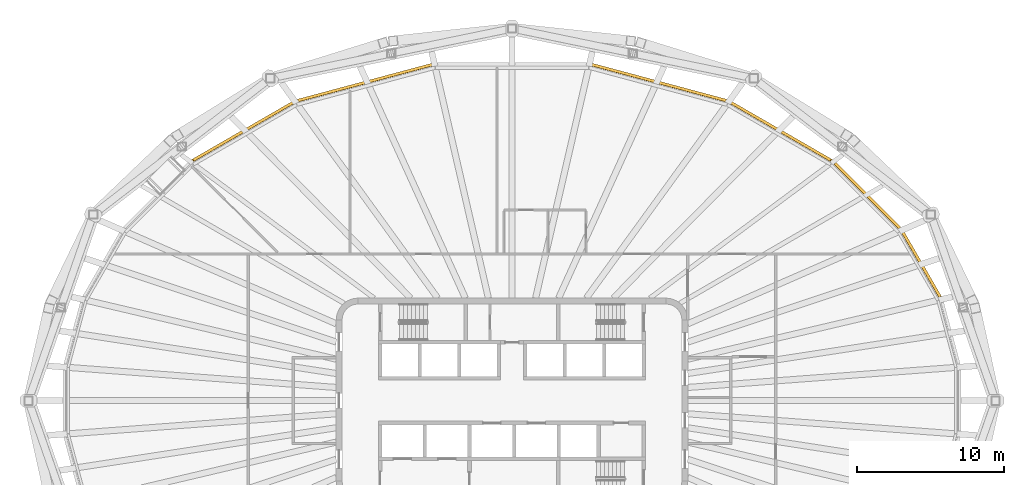
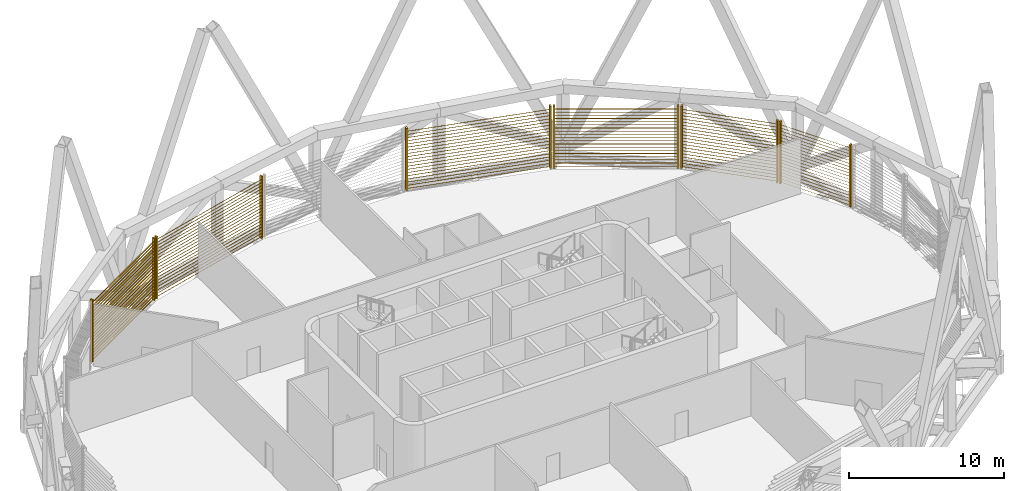
# One storey, part 16 of 17: 6 shading devices.
"""IFC4 building model written with IfcOpenShell, lengths in metres."""

from ifc_helpers import new_model, si_unit, direction, frame, origin, origin_2d, place, context, subcontext, project, spatial, rectangle, extrude, material, type_object, element, save


model = new_model("IFC4")

# Units and contexts
model_context = context("Model", 3, precision=1e-05, world=origin(), true_north=direction((0.0, 1.0)))
body_context = subcontext(model_context, "Body", "Model", "MODEL_VIEW")
ifc_project = project(units=[si_unit("LENGTHUNIT", "METRE"), si_unit("AREAUNIT", "SQUARE_METRE"), si_unit("VOLUMEUNIT", "CUBIC_METRE"), si_unit("PLANEANGLEUNIT", "RADIAN"), si_unit("MASSUNIT", "GRAM", prefix="KILO")], contexts=[model_context])

# Site, building, storey
site_placement = place(None, origin())
site = spatial("IfcSite", under=ifc_project, at=site_placement, CompositionType="ELEMENT")
building_placement = place(site_placement, origin())
building = spatial("IfcBuilding", under=site, at=building_placement, Name="Sahrelin Media Tower", CompositionType="ELEMENT")
storey_placement = place(building_placement, frame((0.0, 0.0, 249.60009765625)))
storey = spatial("IfcBuildingStorey", under=building, at=storey_placement, Name="L54", CompositionType="ELEMENT", Elevation=249.60009765625)

# Shading devices
ifc_material = material(Name="Champagne anodised aluminium 6063-T6", Category="aluminium")
shading_device_type = type_object("IfcShadingDeviceType", Name="Sand-rejection louvre band", PredefinedType="USERDEFINED", material=ifc_material)
shading_device_1_placement = place(storey_placement, frame((27.853271484375, 9.231689453125, 0.0), z_axis=(0.0, 0.0, 1.0), x_axis=(0.500011000363, -0.866019052629, 0.0)))
element("IfcShadingDevice", 1, at=shading_device_1_placement, inside=storey, type_object=shading_device_type, Name="L54:LOUVRE:L54-02", ObjectType="LOUVRE", PredefinedType="USERDEFINED", context=body_context, shape_type="SweptSolid", body=[
    extrude(rectangle(XDim=0.1201171875, YDim=0.199951171875, at=origin_2d()), frame((2.60107421875, 0.10009765625, 0.050048828125), z_axis=(0.0, 0.0, 1.0), x_axis=(1.0, 0.0, 0.0)), (0.0, 0.0, 1.0), 4.8984375),
    extrude(rectangle(XDim=0.1201171875, YDim=0.199951171875, at=origin_2d()), frame((-2.60107421875, 0.10009765625, 0.050048828125), z_axis=(0.0, 0.0, 1.0), x_axis=(1.0, 0.0, 0.0)), (0.0, 0.0, 1.0), 4.8984375),
    extrude(rectangle(XDim=0.25, YDim=0.02001953125, at=origin_2d()), frame((2.541015625, 0.10009765625, 0.14990234375), z_axis=(-1.0, 0.0, 0.0), x_axis=(0.0, -0.766044443119, 0.642787609687)), (0.0, 0.0, 1.0), 5.08203125),
    extrude(rectangle(XDim=0.25, YDim=0.02001953125, at=origin_2d()), frame((2.541015625, 0.10009765625, 0.39990234375), z_axis=(-1.0, 0.0, 0.0), x_axis=(0.0, -0.766044443119, 0.642787609687)), (0.0, 0.0, 1.0), 5.08203125),
    extrude(rectangle(XDim=0.25, YDim=0.02001953125, at=origin_2d()), frame((2.541015625, 0.10009765625, 0.64990234375), z_axis=(-1.0, 0.0, 0.0), x_axis=(0.0, -0.766044443119, 0.642787609687)), (0.0, 0.0, 1.0), 5.08203125),
    extrude(rectangle(XDim=0.25, YDim=0.02001953125, at=origin_2d()), frame((2.541015625, 0.10009765625, 0.89990234375), z_axis=(-1.0, 0.0, 0.0), x_axis=(0.0, -0.766044443119, 0.642787609687)), (0.0, 0.0, 1.0), 5.08203125),
    extrude(rectangle(XDim=0.25, YDim=0.02001953125, at=origin_2d()), frame((2.541015625, 0.10009765625, 1.14990234375), z_axis=(-1.0, 0.0, 0.0), x_axis=(0.0, -0.766044443119, 0.642787609687)), (0.0, 0.0, 1.0), 5.08203125),
    extrude(rectangle(XDim=0.25, YDim=0.02001953125, at=origin_2d()), frame((2.541015625, 0.10009765625, 1.39990234375), z_axis=(-1.0, 0.0, 0.0), x_axis=(0.0, -0.766044443119, 0.642787609687)), (0.0, 0.0, 1.0), 5.08203125),
    extrude(rectangle(XDim=0.25, YDim=0.02001953125, at=origin_2d()), frame((2.541015625, 0.10009765625, 1.64990234375), z_axis=(-1.0, 0.0, 0.0), x_axis=(0.0, -0.766044443119, 0.642787609687)), (0.0, 0.0, 1.0), 5.08203125),
    extrude(rectangle(XDim=0.25, YDim=0.02001953125, at=origin_2d()), frame((2.541015625, 0.10009765625, 1.89990234375), z_axis=(-1.0, 0.0, 0.0), x_axis=(0.0, -0.766044443119, 0.642787609687)), (0.0, 0.0, 1.0), 5.08203125),
    extrude(rectangle(XDim=0.25, YDim=0.02001953125, at=origin_2d()), frame((2.541015625, 0.10009765625, 2.14990234375), z_axis=(-1.0, 0.0, 0.0), x_axis=(0.0, -0.766044443119, 0.642787609687)), (0.0, 0.0, 1.0), 5.08203125),
    extrude(rectangle(XDim=0.25, YDim=0.02001953125, at=origin_2d()), frame((2.541015625, 0.10009765625, 2.39990234375), z_axis=(-1.0, 0.0, 0.0), x_axis=(0.0, -0.766044443119, 0.642787609687)), (0.0, 0.0, 1.0), 5.08203125),
    extrude(rectangle(XDim=0.25, YDim=0.02001953125, at=origin_2d()), frame((2.541015625, 0.10009765625, 2.64990234375), z_axis=(-1.0, 0.0, 0.0), x_axis=(0.0, -0.766044443119, 0.642787609687)), (0.0, 0.0, 1.0), 5.08203125),
    extrude(rectangle(XDim=0.25, YDim=0.02001953125, at=origin_2d()), frame((2.541015625, 0.10009765625, 2.89990234375), z_axis=(-1.0, 0.0, 0.0), x_axis=(0.0, -0.766044443119, 0.642787609687)), (0.0, 0.0, 1.0), 5.08203125),
    extrude(rectangle(XDim=0.25, YDim=0.02001953125, at=origin_2d()), frame((2.541015625, 0.10009765625, 3.14990234375), z_axis=(-1.0, 0.0, 0.0), x_axis=(0.0, -0.766044443119, 0.642787609687)), (0.0, 0.0, 1.0), 5.08203125),
    extrude(rectangle(XDim=0.25, YDim=0.02001953125, at=origin_2d()), frame((2.541015625, 0.10009765625, 3.39990234375), z_axis=(-1.0, 0.0, 0.0), x_axis=(0.0, -0.766044443119, 0.642787609687)), (0.0, 0.0, 1.0), 5.08203125),
    extrude(rectangle(XDim=0.25, YDim=0.02001953125, at=origin_2d()), frame((2.541015625, 0.10009765625, 3.64990234375), z_axis=(-1.0, 0.0, 0.0), x_axis=(0.0, -0.766044443119, 0.642787609687)), (0.0, 0.0, 1.0), 5.08203125),
    extrude(rectangle(XDim=0.25, YDim=0.02001953125, at=origin_2d()), frame((2.541015625, 0.10009765625, 3.89990234375), z_axis=(-1.0, 0.0, 0.0), x_axis=(0.0, -0.766044443119, 0.642787609687)), (0.0, 0.0, 1.0), 5.08203125),
    extrude(rectangle(XDim=0.25, YDim=0.02001953125, at=origin_2d()), frame((2.541015625, 0.10009765625, 4.14990234375), z_axis=(-1.0, 0.0, 0.0), x_axis=(0.0, -0.766044443119, 0.642787609687)), (0.0, 0.0, 1.0), 5.08203125),
    extrude(rectangle(XDim=0.25, YDim=0.02001953125, at=origin_2d()), frame((2.541015625, 0.10009765625, 4.39990234375), z_axis=(-1.0, 0.0, 0.0), x_axis=(0.0, -0.766044443119, 0.642787609687)), (0.0, 0.0, 1.0), 5.08203125),
    extrude(rectangle(XDim=0.25, YDim=0.02001953125, at=origin_2d()), frame((2.541015625, 0.10009765625, 4.64990234375), z_axis=(-1.0, 0.0, 0.0), x_axis=(0.0, -0.766044443119, 0.642787609687)), (0.0, 0.0, 1.0), 5.08203125),
])
shading_device_2_placement = place(storey_placement, frame((24.17041015625, 13.90673828125, 0.0), z_axis=(0.0, 0.0, 1.0), x_axis=(0.707106781187, -0.707106781187, 0.0)))
element("IfcShadingDevice", 2, at=shading_device_2_placement, inside=storey, type_object=shading_device_type, Name="L54:LOUVRE:L54-03", ObjectType="LOUVRE", PredefinedType="USERDEFINED", context=body_context, shape_type="SweptSolid", body=[
    extrude(rectangle(XDim=0.1201171875, YDim=0.199951171875, at=origin_2d()), frame((3.18115234375, 0.10009765625, 0.050048828125), z_axis=(0.0, 0.0, 1.0), x_axis=(1.0, 0.0, 0.0)), (0.0, 0.0, 1.0), 4.8984375),
    extrude(rectangle(XDim=0.1201171875, YDim=0.199951171875, at=origin_2d()), frame((-3.18115234375, 0.10009765625, 0.050048828125), z_axis=(0.0, 0.0, 1.0), x_axis=(1.0, 0.0, 0.0)), (0.0, 0.0, 1.0), 4.8984375),
    extrude(rectangle(XDim=0.25, YDim=0.02001953125, at=origin_2d()), frame((3.12109375, 0.10009765625, 0.14990234375), z_axis=(-1.0, 0.0, 0.0), x_axis=(0.0, -0.766044443119, 0.642787609687)), (0.0, 0.0, 1.0), 6.2421875),
    extrude(rectangle(XDim=0.25, YDim=0.02001953125, at=origin_2d()), frame((3.12109375, 0.10009765625, 0.39990234375), z_axis=(-1.0, 0.0, 0.0), x_axis=(0.0, -0.766044443119, 0.642787609687)), (0.0, 0.0, 1.0), 6.2421875),
    extrude(rectangle(XDim=0.25, YDim=0.02001953125, at=origin_2d()), frame((3.12109375, 0.10009765625, 0.64990234375), z_axis=(-1.0, 0.0, 0.0), x_axis=(0.0, -0.766044443119, 0.642787609687)), (0.0, 0.0, 1.0), 6.2421875),
    extrude(rectangle(XDim=0.25, YDim=0.02001953125, at=origin_2d()), frame((3.12109375, 0.10009765625, 0.89990234375), z_axis=(-1.0, 0.0, 0.0), x_axis=(0.0, -0.766044443119, 0.642787609687)), (0.0, 0.0, 1.0), 6.2421875),
    extrude(rectangle(XDim=0.25, YDim=0.02001953125, at=origin_2d()), frame((3.12109375, 0.10009765625, 1.14990234375), z_axis=(-1.0, 0.0, 0.0), x_axis=(0.0, -0.766044443119, 0.642787609687)), (0.0, 0.0, 1.0), 6.2421875),
    extrude(rectangle(XDim=0.25, YDim=0.02001953125, at=origin_2d()), frame((3.12109375, 0.10009765625, 1.39990234375), z_axis=(-1.0, 0.0, 0.0), x_axis=(0.0, -0.766044443119, 0.642787609687)), (0.0, 0.0, 1.0), 6.2421875),
    extrude(rectangle(XDim=0.25, YDim=0.02001953125, at=origin_2d()), frame((3.12109375, 0.10009765625, 1.64990234375), z_axis=(-1.0, 0.0, 0.0), x_axis=(0.0, -0.766044443119, 0.642787609687)), (0.0, 0.0, 1.0), 6.2421875),
    extrude(rectangle(XDim=0.25, YDim=0.02001953125, at=origin_2d()), frame((3.12109375, 0.10009765625, 1.89990234375), z_axis=(-1.0, 0.0, 0.0), x_axis=(0.0, -0.766044443119, 0.642787609687)), (0.0, 0.0, 1.0), 6.2421875),
    extrude(rectangle(XDim=0.25, YDim=0.02001953125, at=origin_2d()), frame((3.12109375, 0.10009765625, 2.14990234375), z_axis=(-1.0, 0.0, 0.0), x_axis=(0.0, -0.766044443119, 0.642787609687)), (0.0, 0.0, 1.0), 6.2421875),
    extrude(rectangle(XDim=0.25, YDim=0.02001953125, at=origin_2d()), frame((3.12109375, 0.10009765625, 2.39990234375), z_axis=(-1.0, 0.0, 0.0), x_axis=(0.0, -0.766044443119, 0.642787609687)), (0.0, 0.0, 1.0), 6.2421875),
    extrude(rectangle(XDim=0.25, YDim=0.02001953125, at=origin_2d()), frame((3.12109375, 0.10009765625, 2.64990234375), z_axis=(-1.0, 0.0, 0.0), x_axis=(0.0, -0.766044443119, 0.642787609687)), (0.0, 0.0, 1.0), 6.2421875),
    extrude(rectangle(XDim=0.25, YDim=0.02001953125, at=origin_2d()), frame((3.12109375, 0.10009765625, 2.89990234375), z_axis=(-1.0, 0.0, 0.0), x_axis=(0.0, -0.766044443119, 0.642787609687)), (0.0, 0.0, 1.0), 6.2421875),
    extrude(rectangle(XDim=0.25, YDim=0.02001953125, at=origin_2d()), frame((3.12109375, 0.10009765625, 3.14990234375), z_axis=(-1.0, 0.0, 0.0), x_axis=(0.0, -0.766044443119, 0.642787609687)), (0.0, 0.0, 1.0), 6.2421875),
    extrude(rectangle(XDim=0.25, YDim=0.02001953125, at=origin_2d()), frame((3.12109375, 0.10009765625, 3.39990234375), z_axis=(-1.0, 0.0, 0.0), x_axis=(0.0, -0.766044443119, 0.642787609687)), (0.0, 0.0, 1.0), 6.2421875),
    extrude(rectangle(XDim=0.25, YDim=0.02001953125, at=origin_2d()), frame((3.12109375, 0.10009765625, 3.64990234375), z_axis=(-1.0, 0.0, 0.0), x_axis=(0.0, -0.766044443119, 0.642787609687)), (0.0, 0.0, 1.0), 6.2421875),
    extrude(rectangle(XDim=0.25, YDim=0.02001953125, at=origin_2d()), frame((3.12109375, 0.10009765625, 3.89990234375), z_axis=(-1.0, 0.0, 0.0), x_axis=(0.0, -0.766044443119, 0.642787609687)), (0.0, 0.0, 1.0), 6.2421875),
    extrude(rectangle(XDim=0.25, YDim=0.02001953125, at=origin_2d()), frame((3.12109375, 0.10009765625, 4.14990234375), z_axis=(-1.0, 0.0, 0.0), x_axis=(0.0, -0.766044443119, 0.642787609687)), (0.0, 0.0, 1.0), 6.2421875),
    extrude(rectangle(XDim=0.25, YDim=0.02001953125, at=origin_2d()), frame((3.12109375, 0.10009765625, 4.39990234375), z_axis=(-1.0, 0.0, 0.0), x_axis=(0.0, -0.766044443119, 0.642787609687)), (0.0, 0.0, 1.0), 6.2421875),
    extrude(rectangle(XDim=0.25, YDim=0.02001953125, at=origin_2d()), frame((3.12109375, 0.10009765625, 4.64990234375), z_axis=(-1.0, 0.0, 0.0), x_axis=(0.0, -0.766044443119, 0.642787609687)), (0.0, 0.0, 1.0), 6.2421875),
])
shading_device_3_placement = place(storey_placement, frame((18.294189453125, 18.283203125, 0.0), z_axis=(0.0, 0.0, 1.0), x_axis=(0.866019052629, -0.500011000363, 0.0)))
element("IfcShadingDevice", 3, at=shading_device_3_placement, inside=storey, type_object=shading_device_type, Name="L54:LOUVRE:L54-04", ObjectType="LOUVRE", PredefinedType="USERDEFINED", context=body_context, shape_type="SweptSolid", body=[
    extrude(rectangle(XDim=0.1201171875, YDim=0.199951171875, at=origin_2d()), frame((3.988037109375, 0.10009765625, 0.050048828125), z_axis=(0.0, 0.0, 1.0), x_axis=(1.0, 0.0, 0.0)), (0.0, 0.0, 1.0), 4.8984375),
    extrude(rectangle(XDim=0.1201171875, YDim=0.199951171875, at=origin_2d()), frame((-3.988037109375, 0.10009765625, 0.050048828125), z_axis=(0.0, 0.0, 1.0), x_axis=(1.0, 0.0, 0.0)), (0.0, 0.0, 1.0), 4.8984375),
    extrude(rectangle(XDim=0.25, YDim=0.02001953125, at=origin_2d()), frame((3.927978515625, 0.10009765625, 0.14990234375), z_axis=(-1.0, 0.0, 0.0), x_axis=(0.0, -0.766044443119, 0.642787609687)), (0.0, 0.0, 1.0), 7.85595703125),
    extrude(rectangle(XDim=0.25, YDim=0.02001953125, at=origin_2d()), frame((3.927978515625, 0.10009765625, 0.39990234375), z_axis=(-1.0, 0.0, 0.0), x_axis=(0.0, -0.766044443119, 0.642787609687)), (0.0, 0.0, 1.0), 7.85595703125),
    extrude(rectangle(XDim=0.25, YDim=0.02001953125, at=origin_2d()), frame((3.927978515625, 0.10009765625, 0.64990234375), z_axis=(-1.0, 0.0, 0.0), x_axis=(0.0, -0.766044443119, 0.642787609687)), (0.0, 0.0, 1.0), 7.85595703125),
    extrude(rectangle(XDim=0.25, YDim=0.02001953125, at=origin_2d()), frame((3.927978515625, 0.10009765625, 0.89990234375), z_axis=(-1.0, 0.0, 0.0), x_axis=(0.0, -0.766044443119, 0.642787609687)), (0.0, 0.0, 1.0), 7.85595703125),
    extrude(rectangle(XDim=0.25, YDim=0.02001953125, at=origin_2d()), frame((3.927978515625, 0.10009765625, 1.14990234375), z_axis=(-1.0, 0.0, 0.0), x_axis=(0.0, -0.766044443119, 0.642787609687)), (0.0, 0.0, 1.0), 7.85595703125),
    extrude(rectangle(XDim=0.25, YDim=0.02001953125, at=origin_2d()), frame((3.927978515625, 0.10009765625, 1.39990234375), z_axis=(-1.0, 0.0, 0.0), x_axis=(0.0, -0.766044443119, 0.642787609687)), (0.0, 0.0, 1.0), 7.85595703125),
    extrude(rectangle(XDim=0.25, YDim=0.02001953125, at=origin_2d()), frame((3.927978515625, 0.10009765625, 1.64990234375), z_axis=(-1.0, 0.0, 0.0), x_axis=(0.0, -0.766044443119, 0.642787609687)), (0.0, 0.0, 1.0), 7.85595703125),
    extrude(rectangle(XDim=0.25, YDim=0.02001953125, at=origin_2d()), frame((3.927978515625, 0.10009765625, 1.89990234375), z_axis=(-1.0, 0.0, 0.0), x_axis=(0.0, -0.766044443119, 0.642787609687)), (0.0, 0.0, 1.0), 7.85595703125),
    extrude(rectangle(XDim=0.25, YDim=0.02001953125, at=origin_2d()), frame((3.927978515625, 0.10009765625, 2.14990234375), z_axis=(-1.0, 0.0, 0.0), x_axis=(0.0, -0.766044443119, 0.642787609687)), (0.0, 0.0, 1.0), 7.85595703125),
    extrude(rectangle(XDim=0.25, YDim=0.02001953125, at=origin_2d()), frame((3.927978515625, 0.10009765625, 2.39990234375), z_axis=(-1.0, 0.0, 0.0), x_axis=(0.0, -0.766044443119, 0.642787609687)), (0.0, 0.0, 1.0), 7.85595703125),
    extrude(rectangle(XDim=0.25, YDim=0.02001953125, at=origin_2d()), frame((3.927978515625, 0.10009765625, 2.64990234375), z_axis=(-1.0, 0.0, 0.0), x_axis=(0.0, -0.766044443119, 0.642787609687)), (0.0, 0.0, 1.0), 7.85595703125),
    extrude(rectangle(XDim=0.25, YDim=0.02001953125, at=origin_2d()), frame((3.927978515625, 0.10009765625, 2.89990234375), z_axis=(-1.0, 0.0, 0.0), x_axis=(0.0, -0.766044443119, 0.642787609687)), (0.0, 0.0, 1.0), 7.85595703125),
    extrude(rectangle(XDim=0.25, YDim=0.02001953125, at=origin_2d()), frame((3.927978515625, 0.10009765625, 3.14990234375), z_axis=(-1.0, 0.0, 0.0), x_axis=(0.0, -0.766044443119, 0.642787609687)), (0.0, 0.0, 1.0), 7.85595703125),
    extrude(rectangle(XDim=0.25, YDim=0.02001953125, at=origin_2d()), frame((3.927978515625, 0.10009765625, 3.39990234375), z_axis=(-1.0, 0.0, 0.0), x_axis=(0.0, -0.766044443119, 0.642787609687)), (0.0, 0.0, 1.0), 7.85595703125),
    extrude(rectangle(XDim=0.25, YDim=0.02001953125, at=origin_2d()), frame((3.927978515625, 0.10009765625, 3.64990234375), z_axis=(-1.0, 0.0, 0.0), x_axis=(0.0, -0.766044443119, 0.642787609687)), (0.0, 0.0, 1.0), 7.85595703125),
    extrude(rectangle(XDim=0.25, YDim=0.02001953125, at=origin_2d()), frame((3.927978515625, 0.10009765625, 3.89990234375), z_axis=(-1.0, 0.0, 0.0), x_axis=(0.0, -0.766044443119, 0.642787609687)), (0.0, 0.0, 1.0), 7.85595703125),
    extrude(rectangle(XDim=0.25, YDim=0.02001953125, at=origin_2d()), frame((3.927978515625, 0.10009765625, 4.14990234375), z_axis=(-1.0, 0.0, 0.0), x_axis=(0.0, -0.766044443119, 0.642787609687)), (0.0, 0.0, 1.0), 7.85595703125),
    extrude(rectangle(XDim=0.25, YDim=0.02001953125, at=origin_2d()), frame((3.927978515625, 0.10009765625, 4.39990234375), z_axis=(-1.0, 0.0, 0.0), x_axis=(0.0, -0.766044443119, 0.642787609687)), (0.0, 0.0, 1.0), 7.85595703125),
    extrude(rectangle(XDim=0.25, YDim=0.02001953125, at=origin_2d()), frame((3.927978515625, 0.10009765625, 4.64990234375), z_axis=(-1.0, 0.0, 0.0), x_axis=(0.0, -0.766044443119, 0.642787609687)), (0.0, 0.0, 1.0), 7.85595703125),
])
shading_device_4_placement = place(storey_placement, frame((10.005615234375, 21.60205078125, 0.0), z_axis=(0.0, 0.0, 1.0), x_axis=(0.965928857556, -0.258807731996, 0.0)))
element("IfcShadingDevice", 4, at=shading_device_4_placement, inside=storey, type_object=shading_device_type, Name="L54:LOUVRE:L54-05", ObjectType="LOUVRE", PredefinedType="USERDEFINED", context=body_context, shape_type="SweptSolid", body=[
    extrude(rectangle(XDim=0.1201171875, YDim=0.199951171875, at=origin_2d()), frame((4.796630859375, 0.10009765625, 0.050048828125), z_axis=(0.0, 0.0, 1.0), x_axis=(1.0, 0.0, 0.0)), (0.0, 0.0, 1.0), 4.8984375),
    extrude(rectangle(XDim=0.1201171875, YDim=0.199951171875, at=origin_2d()), frame((-4.796630859375, 0.10009765625, 0.050048828125), z_axis=(0.0, 0.0, 1.0), x_axis=(1.0, 0.0, 0.0)), (0.0, 0.0, 1.0), 4.8984375),
    extrude(rectangle(XDim=0.25, YDim=0.02001953125, at=origin_2d()), frame((4.73681640625, 0.10009765625, 0.14990234375), z_axis=(-1.0, 0.0, 0.0), x_axis=(0.0, -0.766044443119, 0.642787609687)), (0.0, 0.0, 1.0), 9.4736328125),
    extrude(rectangle(XDim=0.25, YDim=0.02001953125, at=origin_2d()), frame((4.73681640625, 0.10009765625, 0.39990234375), z_axis=(-1.0, 0.0, 0.0), x_axis=(0.0, -0.766044443119, 0.642787609687)), (0.0, 0.0, 1.0), 9.4736328125),
    extrude(rectangle(XDim=0.25, YDim=0.02001953125, at=origin_2d()), frame((4.73681640625, 0.10009765625, 0.64990234375), z_axis=(-1.0, 0.0, 0.0), x_axis=(0.0, -0.766044443119, 0.642787609687)), (0.0, 0.0, 1.0), 9.4736328125),
    extrude(rectangle(XDim=0.25, YDim=0.02001953125, at=origin_2d()), frame((4.73681640625, 0.10009765625, 0.89990234375), z_axis=(-1.0, 0.0, 0.0), x_axis=(0.0, -0.766044443119, 0.642787609687)), (0.0, 0.0, 1.0), 9.4736328125),
    extrude(rectangle(XDim=0.25, YDim=0.02001953125, at=origin_2d()), frame((4.73681640625, 0.10009765625, 1.14990234375), z_axis=(-1.0, 0.0, 0.0), x_axis=(0.0, -0.766044443119, 0.642787609687)), (0.0, 0.0, 1.0), 9.4736328125),
    extrude(rectangle(XDim=0.25, YDim=0.02001953125, at=origin_2d()), frame((4.73681640625, 0.10009765625, 1.39990234375), z_axis=(-1.0, 0.0, 0.0), x_axis=(0.0, -0.766044443119, 0.642787609687)), (0.0, 0.0, 1.0), 9.4736328125),
    extrude(rectangle(XDim=0.25, YDim=0.02001953125, at=origin_2d()), frame((4.73681640625, 0.10009765625, 1.64990234375), z_axis=(-1.0, 0.0, 0.0), x_axis=(0.0, -0.766044443119, 0.642787609687)), (0.0, 0.0, 1.0), 9.4736328125),
    extrude(rectangle(XDim=0.25, YDim=0.02001953125, at=origin_2d()), frame((4.73681640625, 0.10009765625, 1.89990234375), z_axis=(-1.0, 0.0, 0.0), x_axis=(0.0, -0.766044443119, 0.642787609687)), (0.0, 0.0, 1.0), 9.4736328125),
    extrude(rectangle(XDim=0.25, YDim=0.02001953125, at=origin_2d()), frame((4.73681640625, 0.10009765625, 2.14990234375), z_axis=(-1.0, 0.0, 0.0), x_axis=(0.0, -0.766044443119, 0.642787609687)), (0.0, 0.0, 1.0), 9.4736328125),
    extrude(rectangle(XDim=0.25, YDim=0.02001953125, at=origin_2d()), frame((4.73681640625, 0.10009765625, 2.39990234375), z_axis=(-1.0, 0.0, 0.0), x_axis=(0.0, -0.766044443119, 0.642787609687)), (0.0, 0.0, 1.0), 9.4736328125),
    extrude(rectangle(XDim=0.25, YDim=0.02001953125, at=origin_2d()), frame((4.73681640625, 0.10009765625, 2.64990234375), z_axis=(-1.0, 0.0, 0.0), x_axis=(0.0, -0.766044443119, 0.642787609687)), (0.0, 0.0, 1.0), 9.4736328125),
    extrude(rectangle(XDim=0.25, YDim=0.02001953125, at=origin_2d()), frame((4.73681640625, 0.10009765625, 2.89990234375), z_axis=(-1.0, 0.0, 0.0), x_axis=(0.0, -0.766044443119, 0.642787609687)), (0.0, 0.0, 1.0), 9.4736328125),
    extrude(rectangle(XDim=0.25, YDim=0.02001953125, at=origin_2d()), frame((4.73681640625, 0.10009765625, 3.14990234375), z_axis=(-1.0, 0.0, 0.0), x_axis=(0.0, -0.766044443119, 0.642787609687)), (0.0, 0.0, 1.0), 9.4736328125),
    extrude(rectangle(XDim=0.25, YDim=0.02001953125, at=origin_2d()), frame((4.73681640625, 0.10009765625, 3.39990234375), z_axis=(-1.0, 0.0, 0.0), x_axis=(0.0, -0.766044443119, 0.642787609687)), (0.0, 0.0, 1.0), 9.4736328125),
    extrude(rectangle(XDim=0.25, YDim=0.02001953125, at=origin_2d()), frame((4.73681640625, 0.10009765625, 3.64990234375), z_axis=(-1.0, 0.0, 0.0), x_axis=(0.0, -0.766044443119, 0.642787609687)), (0.0, 0.0, 1.0), 9.4736328125),
    extrude(rectangle(XDim=0.25, YDim=0.02001953125, at=origin_2d()), frame((4.73681640625, 0.10009765625, 3.89990234375), z_axis=(-1.0, 0.0, 0.0), x_axis=(0.0, -0.766044443119, 0.642787609687)), (0.0, 0.0, 1.0), 9.4736328125),
    extrude(rectangle(XDim=0.25, YDim=0.02001953125, at=origin_2d()), frame((4.73681640625, 0.10009765625, 4.14990234375), z_axis=(-1.0, 0.0, 0.0), x_axis=(0.0, -0.766044443119, 0.642787609687)), (0.0, 0.0, 1.0), 9.4736328125),
    extrude(rectangle(XDim=0.25, YDim=0.02001953125, at=origin_2d()), frame((4.73681640625, 0.10009765625, 4.39990234375), z_axis=(-1.0, 0.0, 0.0), x_axis=(0.0, -0.766044443119, 0.642787609687)), (0.0, 0.0, 1.0), 9.4736328125),
    extrude(rectangle(XDim=0.25, YDim=0.02001953125, at=origin_2d()), frame((4.73681640625, 0.10009765625, 4.64990234375), z_axis=(-1.0, 0.0, 0.0), x_axis=(0.0, -0.766044443119, 0.642787609687)), (0.0, 0.0, 1.0), 9.4736328125),
])
shading_device_5_placement = place(storey_placement, frame((-10.005615234375, 21.602294921875, 0.0), z_axis=(0.0, 0.0, 1.0), x_axis=(0.965928857556, 0.258807731996, 0.0)))
element("IfcShadingDevice", 5, at=shading_device_5_placement, inside=storey, type_object=shading_device_type, Name="L54:LOUVRE:L54-07", ObjectType="LOUVRE", PredefinedType="USERDEFINED", context=body_context, shape_type="SweptSolid", body=[
    extrude(rectangle(XDim=0.1201171875, YDim=0.199951171875, at=origin_2d()), frame((4.796630859375, 0.10009765625, 0.050048828125), z_axis=(0.0, 0.0, 1.0), x_axis=(1.0, 0.0, 0.0)), (0.0, 0.0, 1.0), 4.8984375),
    extrude(rectangle(XDim=0.1201171875, YDim=0.199951171875, at=origin_2d()), frame((-4.796630859375, 0.10009765625, 0.050048828125), z_axis=(0.0, 0.0, 1.0), x_axis=(1.0, 0.0, 0.0)), (0.0, 0.0, 1.0), 4.8984375),
    extrude(rectangle(XDim=0.25, YDim=0.02001953125, at=origin_2d()), frame((4.73681640625, 0.10009765625, 0.14990234375), z_axis=(-1.0, 0.0, 0.0), x_axis=(0.0, -0.766044443119, 0.642787609687)), (0.0, 0.0, 1.0), 9.4736328125),
    extrude(rectangle(XDim=0.25, YDim=0.02001953125, at=origin_2d()), frame((4.73681640625, 0.10009765625, 0.39990234375), z_axis=(-1.0, 0.0, 0.0), x_axis=(0.0, -0.766044443119, 0.642787609687)), (0.0, 0.0, 1.0), 9.4736328125),
    extrude(rectangle(XDim=0.25, YDim=0.02001953125, at=origin_2d()), frame((4.73681640625, 0.10009765625, 0.64990234375), z_axis=(-1.0, 0.0, 0.0), x_axis=(0.0, -0.766044443119, 0.642787609687)), (0.0, 0.0, 1.0), 9.4736328125),
    extrude(rectangle(XDim=0.25, YDim=0.02001953125, at=origin_2d()), frame((4.73681640625, 0.10009765625, 0.89990234375), z_axis=(-1.0, 0.0, 0.0), x_axis=(0.0, -0.766044443119, 0.642787609687)), (0.0, 0.0, 1.0), 9.4736328125),
    extrude(rectangle(XDim=0.25, YDim=0.02001953125, at=origin_2d()), frame((4.73681640625, 0.10009765625, 1.14990234375), z_axis=(-1.0, 0.0, 0.0), x_axis=(0.0, -0.766044443119, 0.642787609687)), (0.0, 0.0, 1.0), 9.4736328125),
    extrude(rectangle(XDim=0.25, YDim=0.02001953125, at=origin_2d()), frame((4.73681640625, 0.10009765625, 1.39990234375), z_axis=(-1.0, 0.0, 0.0), x_axis=(0.0, -0.766044443119, 0.642787609687)), (0.0, 0.0, 1.0), 9.4736328125),
    extrude(rectangle(XDim=0.25, YDim=0.02001953125, at=origin_2d()), frame((4.73681640625, 0.10009765625, 1.64990234375), z_axis=(-1.0, 0.0, 0.0), x_axis=(0.0, -0.766044443119, 0.642787609687)), (0.0, 0.0, 1.0), 9.4736328125),
    extrude(rectangle(XDim=0.25, YDim=0.02001953125, at=origin_2d()), frame((4.73681640625, 0.10009765625, 1.89990234375), z_axis=(-1.0, 0.0, 0.0), x_axis=(0.0, -0.766044443119, 0.642787609687)), (0.0, 0.0, 1.0), 9.4736328125),
    extrude(rectangle(XDim=0.25, YDim=0.02001953125, at=origin_2d()), frame((4.73681640625, 0.10009765625, 2.14990234375), z_axis=(-1.0, 0.0, 0.0), x_axis=(0.0, -0.766044443119, 0.642787609687)), (0.0, 0.0, 1.0), 9.4736328125),
    extrude(rectangle(XDim=0.25, YDim=0.02001953125, at=origin_2d()), frame((4.73681640625, 0.10009765625, 2.39990234375), z_axis=(-1.0, 0.0, 0.0), x_axis=(0.0, -0.766044443119, 0.642787609687)), (0.0, 0.0, 1.0), 9.4736328125),
    extrude(rectangle(XDim=0.25, YDim=0.02001953125, at=origin_2d()), frame((4.73681640625, 0.10009765625, 2.64990234375), z_axis=(-1.0, 0.0, 0.0), x_axis=(0.0, -0.766044443119, 0.642787609687)), (0.0, 0.0, 1.0), 9.4736328125),
    extrude(rectangle(XDim=0.25, YDim=0.02001953125, at=origin_2d()), frame((4.73681640625, 0.10009765625, 2.89990234375), z_axis=(-1.0, 0.0, 0.0), x_axis=(0.0, -0.766044443119, 0.642787609687)), (0.0, 0.0, 1.0), 9.4736328125),
    extrude(rectangle(XDim=0.25, YDim=0.02001953125, at=origin_2d()), frame((4.73681640625, 0.10009765625, 3.14990234375), z_axis=(-1.0, 0.0, 0.0), x_axis=(0.0, -0.766044443119, 0.642787609687)), (0.0, 0.0, 1.0), 9.4736328125),
    extrude(rectangle(XDim=0.25, YDim=0.02001953125, at=origin_2d()), frame((4.73681640625, 0.10009765625, 3.39990234375), z_axis=(-1.0, 0.0, 0.0), x_axis=(0.0, -0.766044443119, 0.642787609687)), (0.0, 0.0, 1.0), 9.4736328125),
    extrude(rectangle(XDim=0.25, YDim=0.02001953125, at=origin_2d()), frame((4.73681640625, 0.10009765625, 3.64990234375), z_axis=(-1.0, 0.0, 0.0), x_axis=(0.0, -0.766044443119, 0.642787609687)), (0.0, 0.0, 1.0), 9.4736328125),
    extrude(rectangle(XDim=0.25, YDim=0.02001953125, at=origin_2d()), frame((4.73681640625, 0.10009765625, 3.89990234375), z_axis=(-1.0, 0.0, 0.0), x_axis=(0.0, -0.766044443119, 0.642787609687)), (0.0, 0.0, 1.0), 9.4736328125),
    extrude(rectangle(XDim=0.25, YDim=0.02001953125, at=origin_2d()), frame((4.73681640625, 0.10009765625, 4.14990234375), z_axis=(-1.0, 0.0, 0.0), x_axis=(0.0, -0.766044443119, 0.642787609687)), (0.0, 0.0, 1.0), 9.4736328125),
    extrude(rectangle(XDim=0.25, YDim=0.02001953125, at=origin_2d()), frame((4.73681640625, 0.10009765625, 4.39990234375), z_axis=(-1.0, 0.0, 0.0), x_axis=(0.0, -0.766044443119, 0.642787609687)), (0.0, 0.0, 1.0), 9.4736328125),
    extrude(rectangle(XDim=0.25, YDim=0.02001953125, at=origin_2d()), frame((4.73681640625, 0.10009765625, 4.64990234375), z_axis=(-1.0, 0.0, 0.0), x_axis=(0.0, -0.766044443119, 0.642787609687)), (0.0, 0.0, 1.0), 9.4736328125),
])
shading_device_6_placement = place(storey_placement, frame((-18.294189453125, 18.283203125, 0.0), z_axis=(0.0, 0.0, 1.0), x_axis=(0.866019052629, 0.500011000363, 0.0)))
element("IfcShadingDevice", 6, at=shading_device_6_placement, inside=storey, type_object=shading_device_type, Name="L54:LOUVRE:L54-08", ObjectType="LOUVRE", PredefinedType="USERDEFINED", context=body_context, shape_type="SweptSolid", body=[
    extrude(rectangle(XDim=0.1201171875, YDim=0.199951171875, at=origin_2d()), frame((3.988037109375, 0.10009765625, 0.050048828125), z_axis=(0.0, 0.0, 1.0), x_axis=(1.0, 0.0, 0.0)), (0.0, 0.0, 1.0), 4.8984375),
    extrude(rectangle(XDim=0.1201171875, YDim=0.199951171875, at=origin_2d()), frame((-3.988037109375, 0.10009765625, 0.050048828125), z_axis=(0.0, 0.0, 1.0), x_axis=(1.0, 0.0, 0.0)), (0.0, 0.0, 1.0), 4.8984375),
    extrude(rectangle(XDim=0.25, YDim=0.02001953125, at=origin_2d()), frame((3.927978515625, 0.10009765625, 0.14990234375), z_axis=(-1.0, 0.0, 0.0), x_axis=(0.0, -0.766044443119, 0.642787609687)), (0.0, 0.0, 1.0), 7.85595703125),
    extrude(rectangle(XDim=0.25, YDim=0.02001953125, at=origin_2d()), frame((3.927978515625, 0.10009765625, 0.39990234375), z_axis=(-1.0, 0.0, 0.0), x_axis=(0.0, -0.766044443119, 0.642787609687)), (0.0, 0.0, 1.0), 7.85595703125),
    extrude(rectangle(XDim=0.25, YDim=0.02001953125, at=origin_2d()), frame((3.927978515625, 0.10009765625, 0.64990234375), z_axis=(-1.0, 0.0, 0.0), x_axis=(0.0, -0.766044443119, 0.642787609687)), (0.0, 0.0, 1.0), 7.85595703125),
    extrude(rectangle(XDim=0.25, YDim=0.02001953125, at=origin_2d()), frame((3.927978515625, 0.10009765625, 0.89990234375), z_axis=(-1.0, 0.0, 0.0), x_axis=(0.0, -0.766044443119, 0.642787609687)), (0.0, 0.0, 1.0), 7.85595703125),
    extrude(rectangle(XDim=0.25, YDim=0.02001953125, at=origin_2d()), frame((3.927978515625, 0.10009765625, 1.14990234375), z_axis=(-1.0, 0.0, 0.0), x_axis=(0.0, -0.766044443119, 0.642787609687)), (0.0, 0.0, 1.0), 7.85595703125),
    extrude(rectangle(XDim=0.25, YDim=0.02001953125, at=origin_2d()), frame((3.927978515625, 0.10009765625, 1.39990234375), z_axis=(-1.0, 0.0, 0.0), x_axis=(0.0, -0.766044443119, 0.642787609687)), (0.0, 0.0, 1.0), 7.85595703125),
    extrude(rectangle(XDim=0.25, YDim=0.02001953125, at=origin_2d()), frame((3.927978515625, 0.10009765625, 1.64990234375), z_axis=(-1.0, 0.0, 0.0), x_axis=(0.0, -0.766044443119, 0.642787609687)), (0.0, 0.0, 1.0), 7.85595703125),
    extrude(rectangle(XDim=0.25, YDim=0.02001953125, at=origin_2d()), frame((3.927978515625, 0.10009765625, 1.89990234375), z_axis=(-1.0, 0.0, 0.0), x_axis=(0.0, -0.766044443119, 0.642787609687)), (0.0, 0.0, 1.0), 7.85595703125),
    extrude(rectangle(XDim=0.25, YDim=0.02001953125, at=origin_2d()), frame((3.927978515625, 0.10009765625, 2.14990234375), z_axis=(-1.0, 0.0, 0.0), x_axis=(0.0, -0.766044443119, 0.642787609687)), (0.0, 0.0, 1.0), 7.85595703125),
    extrude(rectangle(XDim=0.25, YDim=0.02001953125, at=origin_2d()), frame((3.927978515625, 0.10009765625, 2.39990234375), z_axis=(-1.0, 0.0, 0.0), x_axis=(0.0, -0.766044443119, 0.642787609687)), (0.0, 0.0, 1.0), 7.85595703125),
    extrude(rectangle(XDim=0.25, YDim=0.02001953125, at=origin_2d()), frame((3.927978515625, 0.10009765625, 2.64990234375), z_axis=(-1.0, 0.0, 0.0), x_axis=(0.0, -0.766044443119, 0.642787609687)), (0.0, 0.0, 1.0), 7.85595703125),
    extrude(rectangle(XDim=0.25, YDim=0.02001953125, at=origin_2d()), frame((3.927978515625, 0.10009765625, 2.89990234375), z_axis=(-1.0, 0.0, 0.0), x_axis=(0.0, -0.766044443119, 0.642787609687)), (0.0, 0.0, 1.0), 7.85595703125),
    extrude(rectangle(XDim=0.25, YDim=0.02001953125, at=origin_2d()), frame((3.927978515625, 0.10009765625, 3.14990234375), z_axis=(-1.0, 0.0, 0.0), x_axis=(0.0, -0.766044443119, 0.642787609687)), (0.0, 0.0, 1.0), 7.85595703125),
    extrude(rectangle(XDim=0.25, YDim=0.02001953125, at=origin_2d()), frame((3.927978515625, 0.10009765625, 3.39990234375), z_axis=(-1.0, 0.0, 0.0), x_axis=(0.0, -0.766044443119, 0.642787609687)), (0.0, 0.0, 1.0), 7.85595703125),
    extrude(rectangle(XDim=0.25, YDim=0.02001953125, at=origin_2d()), frame((3.927978515625, 0.10009765625, 3.64990234375), z_axis=(-1.0, 0.0, 0.0), x_axis=(0.0, -0.766044443119, 0.642787609687)), (0.0, 0.0, 1.0), 7.85595703125),
    extrude(rectangle(XDim=0.25, YDim=0.02001953125, at=origin_2d()), frame((3.927978515625, 0.10009765625, 3.89990234375), z_axis=(-1.0, 0.0, 0.0), x_axis=(0.0, -0.766044443119, 0.642787609687)), (0.0, 0.0, 1.0), 7.85595703125),
    extrude(rectangle(XDim=0.25, YDim=0.02001953125, at=origin_2d()), frame((3.927978515625, 0.10009765625, 4.14990234375), z_axis=(-1.0, 0.0, 0.0), x_axis=(0.0, -0.766044443119, 0.642787609687)), (0.0, 0.0, 1.0), 7.85595703125),
    extrude(rectangle(XDim=0.25, YDim=0.02001953125, at=origin_2d()), frame((3.927978515625, 0.10009765625, 4.39990234375), z_axis=(-1.0, 0.0, 0.0), x_axis=(0.0, -0.766044443119, 0.642787609687)), (0.0, 0.0, 1.0), 7.85595703125),
    extrude(rectangle(XDim=0.25, YDim=0.02001953125, at=origin_2d()), frame((3.927978515625, 0.10009765625, 4.64990234375), z_axis=(-1.0, 0.0, 0.0), x_axis=(0.0, -0.766044443119, 0.642787609687)), (0.0, 0.0, 1.0), 7.85595703125),
])

save(model, "model.ifc")
